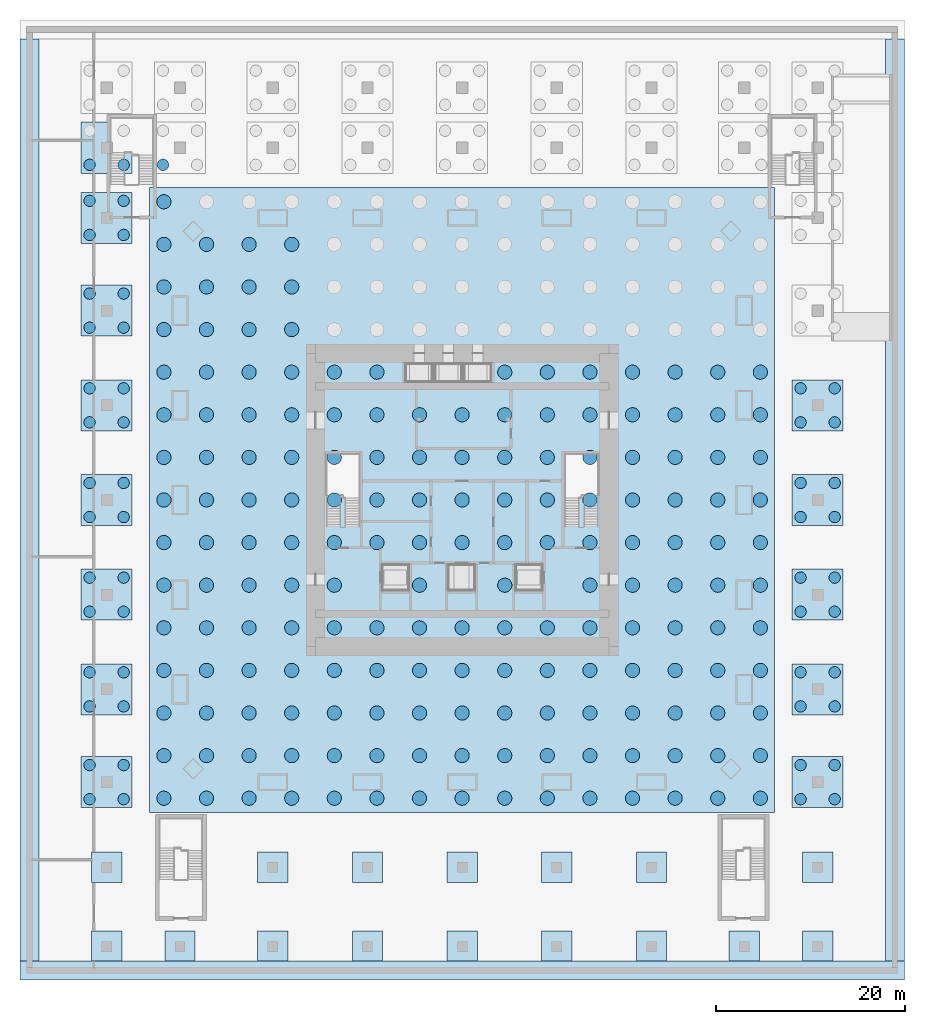
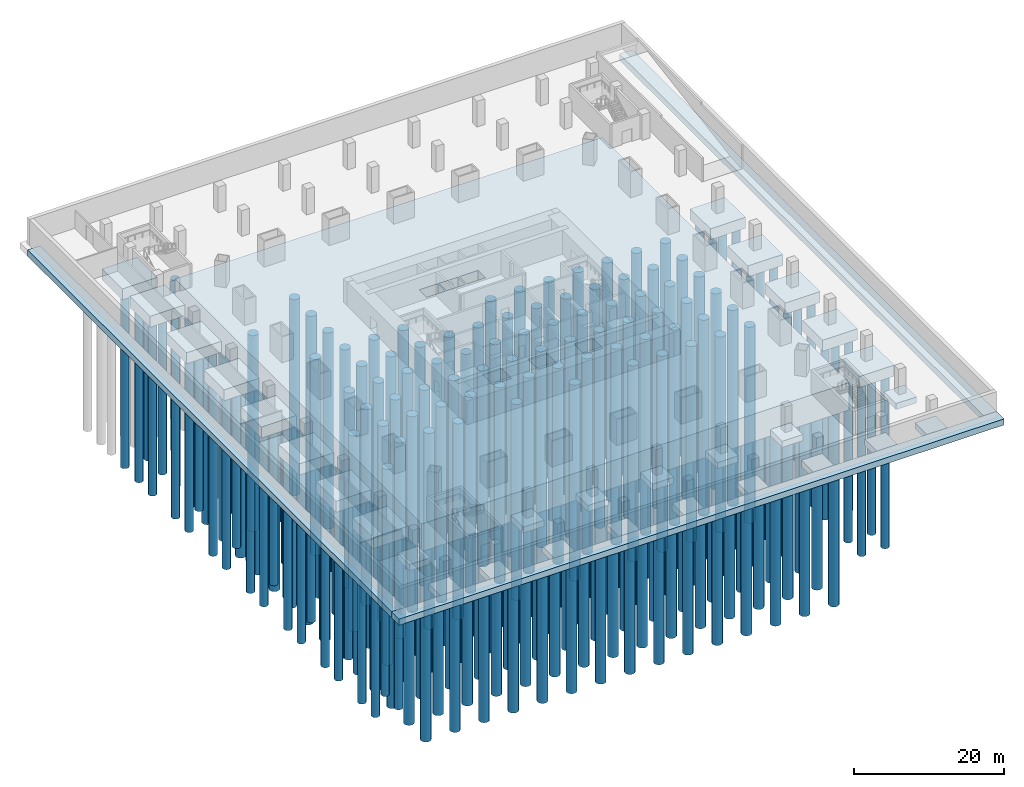
# One storey, part 1 of 11: 224 piles, 33 footings.
"""IFC4 building model written with IfcOpenShell, lengths in metres."""

import ifcopenshell
import ifcopenshell.guid

model = None  # the IFC model being written
_history = None  # IfcOwnerHistory: only IFC2X3 demands one
_inside = {}  # id of a spatial element -> (the spatial element, [elements in it])
_under = {}  # id of a project, library or spatial element -> (it, [spatial elements below it])
_declared = {}  # id of a project -> (the project, [libraries it declares])
_typed = {}  # id of a type object -> (the type object, [elements of that type])
_made_of = {}  # id of a material, layer set ... -> (it, [elements and type objects made of it])


def new_model(schema):
    """Start an empty IFC model of exactly this schema.

    Asked for "IFC4X3", IfcOpenShell would pick the latest addendum, in which some entities
    have other attributes; the version numbers below select the first issue.
    IFC2X3 requires an IfcOwnerHistory on every rooted entity: one is made here for all.
    """
    global model, _history
    if schema == "IFC4X3":
        model = ifcopenshell.file(schema_version=(4, 3, 0, 0))
    else:
        model = ifcopenshell.file(schema=schema)
    _inside.clear()
    _under.clear()
    _declared.clear()
    _typed.clear()
    _made_of.clear()
    _history = None
    if model.schema == "IFC2X3":
        org = make("IfcOrganization", Name="unknown")
        user = make(
            "IfcPersonAndOrganization",
            ThePerson=make("IfcPerson", FamilyName="unknown"),
            TheOrganization=org,
        )
        app = make(
            "IfcApplication",
            ApplicationDeveloper=org,
            Version="unknown",
            ApplicationFullName="unknown",
            ApplicationIdentifier="unknown",
        )
        _history = make(
            "IfcOwnerHistory",
            OwningUser=user,
            OwningApplication=app,
            ChangeAction="ADDED",
            CreationDate=0,
        )
    return model


def make(cls, **values):
    """One entity of the class cls with the attributes given. An attribute that is None is left unset."""
    return model.create_entity(
        cls, **{name: value for name, value in values.items() if value is not None}
    )


def rooted(cls, **values):
    """An entity with a GlobalId (a new one), such as an element, a storey or a relation."""
    return make(cls, GlobalId=ifcopenshell.guid.new(), OwnerHistory=_history, **values)


def si_unit(unit_type, name, prefix=None):
    """IfcSIUnit, for example si_unit("LENGTHUNIT", "METRE", prefix="MILLI")."""
    return make("IfcSIUnit", UnitType=unit_type, Prefix=prefix, Name=name)


def assignment(units):
    """IfcUnitAssignment: the units of a project."""
    return None if units is None else make("IfcUnitAssignment", Units=units)


def point(xyz):
    """IfcCartesianPoint."""
    return None if xyz is None else make("IfcCartesianPoint", Coordinates=xyz)


def direction(xyz):
    """IfcDirection."""
    return None if xyz is None else make("IfcDirection", DirectionRatios=xyz)


def frame(location, z_axis=None, x_axis=None):
    """IfcAxis2Placement3D, a coordinate frame: its origin and axes. An axis left out is left unset."""
    return make(
        "IfcAxis2Placement3D",
        Location=point(location),
        Axis=direction(z_axis),
        RefDirection=direction(x_axis),
    )


def frame_2d(location, x_axis=None):
    """IfcAxis2Placement2D, a coordinate frame in the plane: its origin and x axis."""
    return make(
        "IfcAxis2Placement2D", Location=point(location), RefDirection=direction(x_axis)
    )


def origin():
    """The frame at (0, 0, 0) with its axes left unset."""
    return frame((0.0, 0.0, 0.0))


def origin_2d():
    """The frame at (0, 0) in the plane with its x axis left unset."""
    return frame_2d((0.0, 0.0))


def place(relative_to, where):
    """IfcLocalPlacement: puts the frame where relative to a parent placement (None: the world)."""
    return make(
        "IfcLocalPlacement", PlacementRelTo=relative_to, RelativePlacement=where
    )


def context(
    kind, dimensions, precision=None, world=None, true_north=None, identifier=None
):
    """IfcGeometricRepresentationContext, for example the 3D "Model" context."""
    return make(
        "IfcGeometricRepresentationContext",
        ContextIdentifier=identifier,
        ContextType=kind,
        CoordinateSpaceDimension=dimensions,
        Precision=precision,
        WorldCoordinateSystem=world,
        TrueNorth=true_north,
    )


def subcontext(parent, identifier, kind, view, scale=None):
    """IfcGeometricRepresentationSubContext, for example "Body" below "Model"."""
    return make(
        "IfcGeometricRepresentationSubContext",
        ContextIdentifier=identifier,
        ContextType=kind,
        ParentContext=parent,
        TargetScale=scale,
        TargetView=view,
    )


def project(units=None, contexts=None):
    """IfcProject with its units and contexts."""
    return rooted(
        "IfcProject",
        Name="project",
        RepresentationContexts=contexts,
        UnitsInContext=assignment(units),
    )


def spatial(cls, under=None, at=None, **own):
    """A site, building, storey or space (cls), placed at a placement, below another one or the project."""
    s = rooted(cls, ObjectPlacement=at, **own)
    if under is not None:
        _under.setdefault(under.id(), (under, []))[1].append(s)
    return s


def polyline(points):
    """IfcPolyline through the points."""
    return make("IfcPolyline", Points=[point(p) for p in points])


def profile(cls, at=None, kind="AREA", **sizes):
    """A parametric profile (cls). Its sizes go by their IFC names, for example OverallWidth=200.0."""
    return make(cls, ProfileType=kind, Position=at, **sizes)


def rectangle(**sizes):
    """IfcRectangleProfileDef."""
    return profile("IfcRectangleProfileDef", **sizes)


def circle(**sizes):
    """IfcCircleProfileDef."""
    return profile("IfcCircleProfileDef", **sizes)


def outline(outer, holes=None, kind="AREA"):
    """IfcArbitraryClosedProfileDef: a profile drawn as a closed curve; with holes, ...WithVoids."""
    if holes is None:
        return make("IfcArbitraryClosedProfileDef", ProfileType=kind, OuterCurve=outer)
    return make(
        "IfcArbitraryProfileDefWithVoids",
        ProfileType=kind,
        OuterCurve=outer,
        InnerCurves=holes,
    )


def extrude(swept, where, along, depth):
    """IfcExtrudedAreaSolid: the profile swept, set in the frame where, extruded along a direction by depth."""
    return make(
        "IfcExtrudedAreaSolid",
        SweptArea=swept,
        Position=where,
        ExtrudedDirection=direction(along),
        Depth=depth,
    )


def shape(context_of_items, identifier, shape_type, items):
    """IfcShapeRepresentation: the items that make up one representation, for example the "Body"."""
    return make(
        "IfcShapeRepresentation",
        ContextOfItems=context_of_items,
        RepresentationIdentifier=identifier,
        RepresentationType=shape_type,
        Items=items,
    )


def material(Name=None, Category=None):
    """IfcMaterial."""
    return make("IfcMaterial", Name=Name, Category=Category)


def layer(
    of_material, thickness, ventilated=None, Name=None, Category=None, Priority=None
):
    """IfcMaterialLayer: one layer of a wall or slab, of a material (None: an air gap)."""
    return make(
        "IfcMaterialLayer",
        Material=of_material,
        LayerThickness=thickness,
        IsVentilated=ventilated,
        Name=Name,
        Category=Category,
        Priority=Priority,
    )


def layer_set(layers, Name=None):
    """IfcMaterialLayerSet."""
    return make("IfcMaterialLayerSet", MaterialLayers=layers, LayerSetName=Name)


def material_profile(
    of_material, cross_section, Name=None, Category=None, Priority=None
):
    """IfcMaterialProfile: a cross section and its material."""
    return make(
        "IfcMaterialProfile",
        Name=Name,
        Material=of_material,
        Profile=cross_section,
        Priority=Priority,
        Category=Category,
    )


def profile_set(profiles, Name=None, composite=None):
    """IfcMaterialProfileSet."""
    return make(
        "IfcMaterialProfileSet",
        Name=Name,
        MaterialProfiles=profiles,
        CompositeProfile=composite,
    )


def made_of(thing, what):
    """Note that an element or type object is made of a material, layer set ...; save() writes the relation."""
    if what is not None:
        _made_of.setdefault(what.id(), (what, []))[1].append(thing)
    return thing


def type_object(cls, material=None, **own):
    """A type object (cls), such as IfcWallType, which elements share."""
    return made_of(rooted(cls, **own), material)


def element(
    cls,
    number,
    at=None,
    inside=None,
    cuts=None,
    type_object=None,
    material=None,
    context=None,
    identifier="Body",
    shape_type=None,
    held_by="IfcProductDefinitionShape",
    body=None,
    shapes=None,
    **own,
):
    """One element of the class cls, such as IfcWall. Its Tag is "e" and its number.

    at: its placement. inside: the storey or other place that contains it. cuts: it is an
    opening in that element (IfcRelVoidsElement). A single representation is given by context,
    identifier, shape_type and body (its items); several are given by shapes. held_by: the class
    of the entity that holds the representations. save() writes the other relations.
    """
    e = rooted(cls, Tag="e%d" % number, ObjectPlacement=at, **own)
    if body is not None:
        shapes = [shape(context, identifier, shape_type, body)]
    if shapes is not None:
        e.Representation = make(held_by, Representations=shapes)
    if inside is not None:
        _inside.setdefault(inside.id(), (inside, []))[1].append(e)
    if cuts is not None:
        rooted(
            "IfcRelVoidsElement", RelatingBuildingElement=cuts, RelatedOpeningElement=e
        )
    if type_object is not None:
        _typed.setdefault(type_object.id(), (type_object, []))[1].append(e)
    return made_of(e, material)


def aggregate(whole, parts):
    """IfcRelAggregates: a whole, such as a stair, and the parts it consists of."""
    return rooted("IfcRelAggregates", RelatingObject=whole, RelatedObjects=parts)


def save(model, path):
    """Write the relations noted so far, then the file.

    IfcRelAggregates (storeys below a building ...), IfcRelContainedInSpatialStructure (elements
    in a storey), IfcRelDefinesByType, IfcRelAssociatesMaterial and IfcRelDeclares: one each for
    every whole, place, type object, material and project.
    """
    for whole, parts in _under.values():
        aggregate(whole, parts)
    for where, things in _inside.values():
        rooted(
            "IfcRelContainedInSpatialStructure",
            RelatedElements=things,
            RelatingStructure=where,
        )
    for kind, things in _typed.values():
        rooted("IfcRelDefinesByType", RelatedObjects=things, RelatingType=kind)
    for what, things in _made_of.values():
        rooted("IfcRelAssociatesMaterial", RelatedObjects=things, RelatingMaterial=what)
    for by, libraries in _declared.values():
        rooted("IfcRelDeclares", RelatingContext=by, RelatedDefinitions=libraries)
    model.write(path)


model = new_model("IFC4")

# Units and contexts
model_context = context("Model", 3, precision=1e-05, world=origin(), true_north=direction((0.0, 1.0)))
body_context = subcontext(model_context, "Body", "Model", "MODEL_VIEW")
ifc_project = project(units=[si_unit("LENGTHUNIT", "METRE"), si_unit("AREAUNIT", "SQUARE_METRE"), si_unit("VOLUMEUNIT", "CUBIC_METRE"), si_unit("PLANEANGLEUNIT", "RADIAN"), si_unit("MASSUNIT", "GRAM", prefix="KILO")], contexts=[model_context])

# Site, building, storey
site_placement = place(None, origin())
site = spatial("IfcSite", under=ifc_project, at=site_placement, CompositionType="ELEMENT")
building_placement = place(site_placement, origin())
building = spatial("IfcBuilding", under=site, at=building_placement, Name="Khuree Lantern Residences", CompositionType="ELEMENT")
storey_placement = place(building_placement, frame((0.0, 0.0, -13.199951171875)))
storey = spatial("IfcBuildingStorey", under=building, at=storey_placement, Name="B3", CompositionType="ELEMENT", Elevation=-13.199951171875)

# Piles
ifc_material_1 = material(Name="Concrete C35/45", Category="concrete")
ifc_material_profile_1 = material_profile(ifc_material_1, circle(Radius=0.75, at=origin_2d()), Name="BORED PILE D1500")
ifc_profile_set_1 = profile_set([ifc_material_profile_1], Name="Concrete C35/45")
pile_type_1 = type_object("IfcPileType", Name="BP1 RAFT PILE BORED PILE D1500", PredefinedType="BORED", material=ifc_profile_set_1)
for number, where, z_axis, x_axis, name in (
    (1, (-31.5, -31.5, -4.900146484375), (0.0, 0.0, -1.0), (1.0, 0.0, 0.0), "Raft pile 1"),
    (2, (-27.0, -31.5, -4.900146484375), (0.0, 0.0, -1.0), (1.0, 0.0, 0.0), "Raft pile 2"),
    (3, (-22.5, -31.5, -4.900146484375), (0.0, 0.0, -1.0), (1.0, 0.0, 0.0), "Raft pile 3"),
    (4, (-18.0, -31.5, -4.900146484375), (0.0, 0.0, -1.0), (1.0, 0.0, 0.0), "Raft pile 4"),
    (5, (-13.5, -31.5, -4.900146484375), (0.0, 0.0, -1.0), (1.0, 0.0, 0.0), "Raft pile 5"),
    (6, (-9.0, -31.5, -4.900146484375), (0.0, 0.0, -1.0), (1.0, 0.0, 0.0), "Raft pile 6"),
    (7, (-4.5, -31.5, -4.900146484375), (0.0, 0.0, -1.0), (1.0, 0.0, 0.0), "Raft pile 7"),
    (8, (0.0, -31.5, -4.900146484375), (0.0, 0.0, -1.0), (1.0, 0.0, 0.0), "Raft pile 8"),
    (9, (4.5, -31.5, -4.900146484375), (0.0, 0.0, -1.0), (1.0, 0.0, 0.0), "Raft pile 9"),
    (10, (9.0, -31.5, -4.900146484375), (0.0, 0.0, -1.0), (1.0, 0.0, 0.0), "Raft pile 10"),
    (11, (13.5, -31.5, -4.900146484375), (0.0, 0.0, -1.0), (1.0, 0.0, 0.0), "Raft pile 11"),
    (12, (18.0, -31.5, -4.900146484375), (0.0, 0.0, -1.0), (1.0, 0.0, 0.0), "Raft pile 12"),
    (13, (22.5, -31.5, -4.900146484375), (0.0, 0.0, -1.0), (1.0, 0.0, 0.0), "Raft pile 13"),
    (14, (27.0, -31.5, -4.900146484375), (0.0, 0.0, -1.0), (1.0, 0.0, 0.0), "Raft pile 14"),
    (15, (31.5, -31.5, -4.900146484375), (0.0, 0.0, -1.0), (1.0, 0.0, 0.0), "Raft pile 15"),
    (16, (-31.5, -27.0, -4.900146484375), (0.0, 0.0, -1.0), (1.0, 0.0, 0.0), "Raft pile 16"),
    (17, (-27.0, -27.0, -4.900146484375), (0.0, 0.0, -1.0), (1.0, 0.0, 0.0), "Raft pile 17"),
    (18, (-22.5, -27.0, -4.900146484375), (0.0, 0.0, -1.0), (1.0, 0.0, 0.0), "Raft pile 18"),
    (19, (-18.0, -27.0, -4.900146484375), (0.0, 0.0, -1.0), (1.0, 0.0, 0.0), "Raft pile 19"),
    (20, (-13.5, -27.0, -4.900146484375), (0.0, 0.0, -1.0), (1.0, 0.0, 0.0), "Raft pile 20"),
    (21, (-9.0, -27.0, -4.900146484375), (0.0, 0.0, -1.0), (1.0, 0.0, 0.0), "Raft pile 21"),
    (22, (-4.5, -27.0, -4.900146484375), (0.0, 0.0, -1.0), (1.0, 0.0, 0.0), "Raft pile 22"),
    (23, (0.0, -27.0, -4.900146484375), (0.0, 0.0, -1.0), (1.0, 0.0, 0.0), "Raft pile 23"),
    (24, (4.5, -27.0, -4.900146484375), (0.0, 0.0, -1.0), (1.0, 0.0, 0.0), "Raft pile 24"),
    (25, (9.0, -27.0, -4.900146484375), (0.0, 0.0, -1.0), (1.0, 0.0, 0.0), "Raft pile 25"),
    (26, (13.5, -27.0, -4.900146484375), (0.0, 0.0, -1.0), (1.0, 0.0, 0.0), "Raft pile 26"),
    (27, (18.0, -27.0, -4.900146484375), (0.0, 0.0, -1.0), (1.0, 0.0, 0.0), "Raft pile 27"),
    (28, (22.5, -27.0, -4.900146484375), (0.0, 0.0, -1.0), (1.0, 0.0, 0.0), "Raft pile 28"),
    (29, (27.0, -27.0, -4.900146484375), (0.0, 0.0, -1.0), (1.0, 0.0, 0.0), "Raft pile 29"),
    (30, (31.5, -27.0, -4.900146484375), (0.0, 0.0, -1.0), (1.0, 0.0, 0.0), "Raft pile 30"),
    (31, (-31.5, -22.5, -4.900146484375), (0.0, 0.0, -1.0), (1.0, 0.0, 0.0), "Raft pile 31"),
    (32, (-27.0, -22.5, -4.900146484375), (0.0, 0.0, -1.0), (1.0, 0.0, 0.0), "Raft pile 32"),
    (33, (-22.5, -22.5, -4.900146484375), (0.0, 0.0, -1.0), (1.0, 0.0, 0.0), "Raft pile 33"),
    (34, (-18.0, -22.5, -4.900146484375), (0.0, 0.0, -1.0), (1.0, 0.0, 0.0), "Raft pile 34"),
    (35, (-13.5, -22.5, -4.900146484375), (0.0, 0.0, -1.0), (1.0, 0.0, 0.0), "Raft pile 35"),
    (36, (-9.0, -22.5, -4.900146484375), (0.0, 0.0, -1.0), (1.0, 0.0, 0.0), "Raft pile 36"),
    (37, (-4.5, -22.5, -4.900146484375), (0.0, 0.0, -1.0), (1.0, 0.0, 0.0), "Raft pile 37"),
    (38, (0.0, -22.5, -4.900146484375), (0.0, 0.0, -1.0), (1.0, 0.0, 0.0), "Raft pile 38"),
    (39, (4.5, -22.5, -4.900146484375), (0.0, 0.0, -1.0), (1.0, 0.0, 0.0), "Raft pile 39"),
    (40, (9.0, -22.5, -4.900146484375), (0.0, 0.0, -1.0), (1.0, 0.0, 0.0), "Raft pile 40"),
    (41, (13.5, -22.5, -4.900146484375), (0.0, 0.0, -1.0), (1.0, 0.0, 0.0), "Raft pile 41"),
    (42, (18.0, -22.5, -4.900146484375), (0.0, 0.0, -1.0), (1.0, 0.0, 0.0), "Raft pile 42"),
    (43, (22.5, -22.5, -4.900146484375), (0.0, 0.0, -1.0), (1.0, 0.0, 0.0), "Raft pile 43"),
    (44, (27.0, -22.5, -4.900146484375), (0.0, 0.0, -1.0), (1.0, 0.0, 0.0), "Raft pile 44"),
    (45, (31.5, -22.5, -4.900146484375), (0.0, 0.0, -1.0), (1.0, 0.0, 0.0), "Raft pile 45"),
    (46, (-31.5, -18.0, -4.900146484375), (0.0, 0.0, -1.0), (1.0, 0.0, 0.0), "Raft pile 46"),
    (47, (-27.0, -18.0, -4.900146484375), (0.0, 0.0, -1.0), (1.0, 0.0, 0.0), "Raft pile 47"),
    (48, (-22.5, -18.0, -4.900146484375), (0.0, 0.0, -1.0), (1.0, 0.0, 0.0), "Raft pile 48"),
    (49, (-18.0, -18.0, -4.900146484375), (0.0, 0.0, -1.0), (1.0, 0.0, 0.0), "Raft pile 49"),
    (50, (-13.5, -18.0, -4.900146484375), (0.0, 0.0, -1.0), (1.0, 0.0, 0.0), "Raft pile 50"),
    (51, (-9.0, -18.0, -4.900146484375), (0.0, 0.0, -1.0), (1.0, 0.0, 0.0), "Raft pile 51"),
    (52, (-4.5, -18.0, -4.900146484375), (0.0, 0.0, -1.0), (1.0, 0.0, 0.0), "Raft pile 52"),
    (53, (0.0, -18.0, -4.900146484375), (0.0, 0.0, -1.0), (1.0, 0.0, 0.0), "Raft pile 53"),
    (54, (4.5, -18.0, -4.900146484375), (0.0, 0.0, -1.0), (1.0, 0.0, 0.0), "Raft pile 54"),
    (55, (9.0, -18.0, -4.900146484375), (0.0, 0.0, -1.0), (1.0, 0.0, 0.0), "Raft pile 55"),
    (56, (13.5, -18.0, -4.900146484375), (0.0, 0.0, -1.0), (1.0, 0.0, 0.0), "Raft pile 56"),
    (57, (18.0, -18.0, -4.900146484375), (0.0, 0.0, -1.0), (1.0, 0.0, 0.0), "Raft pile 57"),
    (58, (22.5, -18.0, -4.900146484375), (0.0, 0.0, -1.0), (1.0, 0.0, 0.0), "Raft pile 58"),
    (59, (27.0, -18.0, -4.900146484375), (0.0, 0.0, -1.0), (1.0, 0.0, 0.0), "Raft pile 59"),
    (60, (31.5, -18.0, -4.900146484375), (0.0, 0.0, -1.0), (1.0, 0.0, 0.0), "Raft pile 60"),
    (61, (-31.5, -13.5, -4.900146484375), (0.0, 0.0, -1.0), (1.0, 0.0, 0.0), "Raft pile 61"),
    (62, (-27.0, -13.5, -4.900146484375), (0.0, 0.0, -1.0), (1.0, 0.0, 0.0), "Raft pile 62"),
    (63, (-22.5, -13.5, -4.900146484375), (0.0, 0.0, -1.0), (1.0, 0.0, 0.0), "Raft pile 63"),
    (64, (-18.0, -13.5, -4.900146484375), (0.0, 0.0, -1.0), (1.0, 0.0, 0.0), "Raft pile 64"),
    (65, (-13.5, -13.5, -4.900146484375), (0.0, 0.0, -1.0), (1.0, 0.0, 0.0), "Raft pile 65"),
    (66, (-9.0, -13.5, -4.900146484375), (0.0, 0.0, -1.0), (1.0, 0.0, 0.0), "Raft pile 66"),
    (67, (-4.5, -13.5, -4.900146484375), (0.0, 0.0, -1.0), (1.0, 0.0, 0.0), "Raft pile 67"),
    (68, (0.0, -13.5, -4.900146484375), (0.0, 0.0, -1.0), (1.0, 0.0, 0.0), "Raft pile 68"),
    (69, (4.5, -13.5, -4.900146484375), (0.0, 0.0, -1.0), (1.0, 0.0, 0.0), "Raft pile 69"),
    (70, (9.0, -13.5, -4.900146484375), (0.0, 0.0, -1.0), (1.0, 0.0, 0.0), "Raft pile 70"),
    (71, (13.5, -13.5, -4.900146484375), (0.0, 0.0, -1.0), (1.0, 0.0, 0.0), "Raft pile 71"),
    (72, (18.0, -13.5, -4.900146484375), (0.0, 0.0, -1.0), (1.0, 0.0, 0.0), "Raft pile 72"),
    (73, (22.5, -13.5, -4.900146484375), (0.0, 0.0, -1.0), (1.0, 0.0, 0.0), "Raft pile 73"),
    (74, (27.0, -13.5, -4.900146484375), (0.0, 0.0, -1.0), (1.0, 0.0, 0.0), "Raft pile 74"),
    (75, (31.5, -13.5, -4.900146484375), (0.0, 0.0, -1.0), (1.0, 0.0, 0.0), "Raft pile 75"),
    (76, (-31.5, -9.0, -4.900146484375), (0.0, 0.0, -1.0), (1.0, 0.0, 0.0), "Raft pile 76"),
    (77, (-27.0, -9.0, -4.900146484375), (0.0, 0.0, -1.0), (1.0, 0.0, 0.0), "Raft pile 77"),
    (78, (-22.5, -9.0, -4.900146484375), (0.0, 0.0, -1.0), (1.0, 0.0, 0.0), "Raft pile 78"),
    (79, (-18.0, -9.0, -4.900146484375), (0.0, 0.0, -1.0), (1.0, 0.0, 0.0), "Raft pile 79"),
    (80, (-13.5, -9.0, -4.900146484375), (0.0, 0.0, -1.0), (1.0, 0.0, 0.0), "Raft pile 80"),
    (81, (-4.5, -9.0, -4.900146484375), (0.0, 0.0, -1.0), (1.0, 0.0, 0.0), "Raft pile 81"),
    (82, (4.5, -9.0, -4.900146484375), (0.0, 0.0, -1.0), (1.0, 0.0, 0.0), "Raft pile 82"),
    (83, (13.5, -9.0, -4.900146484375), (0.0, 0.0, -1.0), (1.0, 0.0, 0.0), "Raft pile 83"),
    (84, (18.0, -9.0, -4.900146484375), (0.0, 0.0, -1.0), (1.0, 0.0, 0.0), "Raft pile 84"),
    (85, (22.5, -9.0, -4.900146484375), (0.0, 0.0, -1.0), (1.0, 0.0, 0.0), "Raft pile 85"),
    (86, (27.0, -9.0, -4.900146484375), (0.0, 0.0, -1.0), (1.0, 0.0, 0.0), "Raft pile 86"),
    (87, (31.5, -9.0, -4.900146484375), (0.0, 0.0, -1.0), (1.0, 0.0, 0.0), "Raft pile 87"),
    (88, (-31.5, -4.5, -4.900146484375), (0.0, 0.0, -1.0), (1.0, 0.0, 0.0), "Raft pile 88"),
    (89, (-27.0, -4.5, -4.900146484375), (0.0, 0.0, -1.0), (1.0, 0.0, 0.0), "Raft pile 89"),
    (90, (-22.5, -4.5, -4.900146484375), (0.0, 0.0, -1.0), (1.0, 0.0, 0.0), "Raft pile 90"),
    (91, (-18.0, -4.5, -4.900146484375), (0.0, 0.0, -1.0), (1.0, 0.0, 0.0), "Raft pile 91"),
    (92, (-13.5, -4.5, -4.900146484375), (0.0, 0.0, -1.0), (1.0, 0.0, 0.0), "Raft pile 92"),
    (93, (-9.0, -4.5, -4.900146484375), (0.0, 0.0, -1.0), (1.0, 0.0, 0.0), "Raft pile 93"),
    (94, (-4.5, -4.5, -4.900146484375), (0.0, 0.0, -1.0), (1.0, 0.0, 0.0), "Raft pile 94"),
    (95, (0.0, -4.5, -4.900146484375), (0.0, 0.0, -1.0), (1.0, 0.0, 0.0), "Raft pile 95"),
    (96, (4.5, -4.5, -4.900146484375), (0.0, 0.0, -1.0), (1.0, 0.0, 0.0), "Raft pile 96"),
    (97, (9.0, -4.5, -4.900146484375), (0.0, 0.0, -1.0), (1.0, 0.0, 0.0), "Raft pile 97"),
    (98, (13.5, -4.5, -4.900146484375), (0.0, 0.0, -1.0), (1.0, 0.0, 0.0), "Raft pile 98"),
    (99, (18.0, -4.5, -4.900146484375), (0.0, 0.0, -1.0), (1.0, 0.0, 0.0), "Raft pile 99"),
    (100, (22.5, -4.5, -4.900146484375), (0.0, 0.0, -1.0), (1.0, 0.0, 0.0), "Raft pile 100"),
    (101, (27.0, -4.5, -4.900146484375), (0.0, 0.0, -1.0), (1.0, 0.0, 0.0), "Raft pile 101"),
    (102, (31.5, -4.5, -4.900146484375), (0.0, 0.0, -1.0), (1.0, 0.0, 0.0), "Raft pile 102"),
    (103, (-31.5, 0.0, -4.900146484375), (0.0, 0.0, -1.0), (1.0, 0.0, 0.0), "Raft pile 103"),
    (104, (-27.0, 0.0, -4.900146484375), (0.0, 0.0, -1.0), (1.0, 0.0, 0.0), "Raft pile 104"),
    (105, (-22.5, 0.0, -4.900146484375), (0.0, 0.0, -1.0), (1.0, 0.0, 0.0), "Raft pile 105"),
    (106, (-18.0, 0.0, -4.900146484375), (0.0, 0.0, -1.0), (1.0, 0.0, 0.0), "Raft pile 106"),
    (107, (-13.5, 0.0, -4.900146484375), (0.0, 0.0, -1.0), (1.0, 0.0, 0.0), "Raft pile 107"),
    (108, (-9.0, 0.0, -4.900146484375), (0.0, 0.0, -1.0), (1.0, 0.0, 0.0), "Raft pile 108"),
    (109, (-4.5, 0.0, -4.900146484375), (0.0, 0.0, -1.0), (1.0, 0.0, 0.0), "Raft pile 109"),
    (110, (0.0, 0.0, -4.900146484375), (0.0, 0.0, -1.0), (1.0, 0.0, 0.0), "Raft pile 110"),
    (111, (4.5, 0.0, -4.900146484375), (0.0, 0.0, -1.0), (1.0, 0.0, 0.0), "Raft pile 111"),
    (112, (9.0, 0.0, -4.900146484375), (0.0, 0.0, -1.0), (1.0, 0.0, 0.0), "Raft pile 112"),
    (113, (13.5, 0.0, -4.900146484375), (0.0, 0.0, -1.0), (1.0, 0.0, 0.0), "Raft pile 113"),
    (114, (18.0, 0.0, -4.900146484375), (0.0, 0.0, -1.0), (1.0, 0.0, 0.0), "Raft pile 114"),
    (115, (22.5, 0.0, -4.900146484375), (0.0, 0.0, -1.0), (1.0, 0.0, 0.0), "Raft pile 115"),
    (116, (27.0, 0.0, -4.900146484375), (0.0, 0.0, -1.0), (1.0, 0.0, 0.0), "Raft pile 116"),
    (117, (31.5, 0.0, -4.900146484375), (0.0, 0.0, -1.0), (1.0, 0.0, 0.0), "Raft pile 117"),
    (118, (-31.5, 4.5, -4.900146484375), (0.0, 0.0, -1.0), (1.0, 0.0, 0.0), "Raft pile 118"),
    (119, (-27.0, 4.5, -4.900146484375), (0.0, 0.0, -1.0), (1.0, 0.0, 0.0), "Raft pile 119"),
    (120, (-22.5, 4.5, -4.900146484375), (0.0, 0.0, -1.0), (1.0, 0.0, 0.0), "Raft pile 120"),
    (121, (-18.0, 4.5, -4.900146484375), (0.0, 0.0, -1.0), (1.0, 0.0, 0.0), "Raft pile 121"),
    (122, (-13.5, 4.5, -4.900146484375), (0.0, 0.0, -1.0), (1.0, 0.0, 0.0), "Raft pile 122"),
    (123, (-9.0, 4.5, -4.900146484375), (0.0, 0.0, -1.0), (1.0, 0.0, 0.0), "Raft pile 123"),
    (124, (-4.5, 4.5, -4.900146484375), (0.0, 0.0, -1.0), (1.0, 0.0, 0.0), "Raft pile 124"),
    (125, (0.0, 4.5, -4.900146484375), (0.0, 0.0, -1.0), (1.0, 0.0, 0.0), "Raft pile 125"),
    (126, (4.5, 4.5, -4.900146484375), (0.0, 0.0, -1.0), (1.0, 0.0, 0.0), "Raft pile 126"),
    (127, (9.0, 4.5, -4.900146484375), (0.0, 0.0, -1.0), (1.0, 0.0, 0.0), "Raft pile 127"),
    (128, (13.5, 4.5, -4.900146484375), (0.0, 0.0, -1.0), (1.0, 0.0, 0.0), "Raft pile 128"),
    (129, (18.0, 4.5, -4.900146484375), (0.0, 0.0, -1.0), (1.0, 0.0, 0.0), "Raft pile 129"),
    (130, (22.5, 4.5, -4.900146484375), (0.0, 0.0, -1.0), (1.0, 0.0, 0.0), "Raft pile 130"),
    (131, (27.0, 4.5, -4.900146484375), (0.0, 0.0, -1.0), (1.0, 0.0, 0.0), "Raft pile 131"),
    (132, (31.5, 4.5, -4.900146484375), (0.0, 0.0, -1.0), (1.0, 0.0, 0.0), "Raft pile 132"),
    (133, (-31.5, 9.0, -4.900146484375), (0.0, 0.0, -1.0), (1.0, 0.0, 0.0), "Raft pile 133"),
    (134, (-27.0, 9.0, -4.900146484375), (0.0, 0.0, -1.0), (1.0, 0.0, 0.0), "Raft pile 134"),
    (135, (-22.5, 9.0, -4.900146484375), (0.0, 0.0, -1.0), (1.0, 0.0, 0.0), "Raft pile 135"),
    (136, (-18.0, 9.0, -4.900146484375), (0.0, 0.0, -1.0), (1.0, 0.0, 0.0), "Raft pile 136"),
    (137, (-13.5, 9.0, -4.900146484375), (0.0, 0.0, -1.0), (1.0, 0.0, 0.0), "Raft pile 137"),
    (138, (-9.0, 9.0, -4.900146484375), (0.0, 0.0, -1.0), (1.0, 0.0, 0.0), "Raft pile 138"),
    (139, (-4.5, 9.0, -4.900146484375), (0.0, 0.0, -1.0), (1.0, 0.0, 0.0), "Raft pile 139"),
    (140, (0.0, 9.0, -4.900146484375), (0.0, 0.0, -1.0), (1.0, 0.0, 0.0), "Raft pile 140"),
    (141, (4.5, 9.0, -4.900146484375), (0.0, 0.0, -1.0), (1.0, 0.0, 0.0), "Raft pile 141"),
    (142, (9.0, 9.0, -4.900146484375), (0.0, 0.0, -1.0), (1.0, 0.0, 0.0), "Raft pile 142"),
    (143, (13.5, 9.0, -4.900146484375), (0.0, 0.0, -1.0), (1.0, 0.0, 0.0), "Raft pile 143"),
    (144, (18.0, 9.0, -4.900146484375), (0.0, 0.0, -1.0), (1.0, 0.0, 0.0), "Raft pile 144"),
    (145, (22.5, 9.0, -4.900146484375), (0.0, 0.0, -1.0), (1.0, 0.0, 0.0), "Raft pile 145"),
    (146, (27.0, 9.0, -4.900146484375), (0.0, 0.0, -1.0), (1.0, 0.0, 0.0), "Raft pile 146"),
    (147, (31.5, 9.0, -4.900146484375), (0.0, 0.0, -1.0), (1.0, 0.0, 0.0), "Raft pile 147"),
    (148, (-31.5, 13.5, -4.900146484375), (0.0, 0.0, -1.0), (1.0, 0.0, 0.0), "Raft pile 148"),
    (149, (-27.0, 13.5, -4.900146484375), (0.0, 0.0, -1.0), (1.0, 0.0, 0.0), "Raft pile 149"),
    (150, (-22.5, 13.5, -4.900146484375), (0.0, 0.0, -1.0), (1.0, 0.0, 0.0), "Raft pile 150"),
    (151, (-18.0, 13.5, -4.900146484375), (0.0, 0.0, -1.0), (1.0, 0.0, 0.0), "Raft pile 151"),
    (152, (-13.5, 13.5, -4.900146484375), (0.0, 0.0, -1.0), (1.0, 0.0, 0.0), "Raft pile 152"),
    (153, (-9.0, 13.5, -4.900146484375), (0.0, 0.0, -1.0), (1.0, 0.0, 0.0), "Raft pile 153"),
    (154, (4.5, 13.5, -4.900146484375), (0.0, 0.0, -1.0), (1.0, 0.0, 0.0), "Raft pile 154"),
    (155, (9.0, 13.5, -4.900146484375), (0.0, 0.0, -1.0), (1.0, 0.0, 0.0), "Raft pile 155"),
    (156, (13.5, 13.5, -4.900146484375), (0.0, 0.0, -1.0), (1.0, 0.0, 0.0), "Raft pile 156"),
    (157, (18.0, 13.5, -4.900146484375), (0.0, 0.0, -1.0), (1.0, 0.0, 0.0), "Raft pile 157"),
    (158, (22.5, 13.5, -4.900146484375), (0.0, 0.0, -1.0), (1.0, 0.0, 0.0), "Raft pile 158"),
    (159, (27.0, 13.5, -4.900146484375), (0.0, 0.0, -1.0), (1.0, 0.0, 0.0), "Raft pile 159"),
    (160, (31.5, 13.5, -4.900146484375), (0.0, 0.0, -1.0), (1.0, 0.0, 0.0), "Raft pile 160"),
    (161, (-31.5, 18.0, -4.900146484375), (0.0, 0.0, -1.0), (1.0, 0.0, 0.0), "Raft pile 161"),
    (162, (-27.0, 18.0, -4.900146484375), (0.0, 0.0, -1.0), (1.0, 0.0, 0.0), "Raft pile 162"),
    (163, (-22.5, 18.0, -4.900146484375), (0.0, 0.0, -1.0), (1.0, 0.0, 0.0), "Raft pile 163"),
    (164, (-18.0, 18.0, -4.900146484375), (0.0, 0.0, -1.0), (1.0, 0.0, 0.0), "Raft pile 164"),
    (165, (-31.5, 22.5, -4.900146484375), (0.0, 0.0, -1.0), (1.0, 0.0, 0.0), "Raft pile 176"),
    (166, (-27.0, 22.5, -4.900146484375), (0.0, 0.0, -1.0), (1.0, 0.0, 0.0), "Raft pile 177"),
    (167, (-22.5, 22.5, -4.900146484375), (0.0, 0.0, -1.0), (1.0, 0.0, 0.0), "Raft pile 178"),
    (168, (-18.0, 22.5, -4.900146484375), (0.0, 0.0, -1.0), (1.0, 0.0, 0.0), "Raft pile 179"),
    (169, (-31.5, 27.0, -4.900146484375), (0.0, 0.0, -1.0), (1.0, 0.0, 0.0), "Raft pile 191"),
    (170, (-27.0, 27.0, -4.900146484375), (0.0, 0.0, -1.0), (1.0, 0.0, 0.0), "Raft pile 192"),
    (171, (-22.5, 27.0, -4.900146484375), (0.0, 0.0, -1.0), (1.0, 0.0, 0.0), "Raft pile 193"),
    (172, (-18.0, 27.0, -4.900146484375), (0.0, 0.0, -1.0), (1.0, 0.0, 0.0), "Raft pile 194"),
    (173, (-31.5, 31.5, -4.900146484375), (0.0, 0.0, -1.0), (1.0, 0.0, 0.0), "Raft pile 206"),
):
    element("IfcPile", number, at=place(storey_placement, frame(where, z_axis=z_axis, x_axis=x_axis)), inside=storey, type_object=pile_type_1, Name=name, PredefinedType="BORED", context=body_context, shape_type="SweptSolid", body=[
        extrude(circle(Radius=0.75, at=origin_2d()), origin(), (0.0, 0.0, 1.0), 32.0),
    ])
ifc_material_profile_2 = material_profile(ifc_material_1, circle(Radius=0.60009765625, at=origin_2d()), Name="BORED PILE D1200")
ifc_profile_set_2 = profile_set([ifc_material_profile_2], Name="Concrete C35/45")
pile_type_2 = type_object("IfcPileType", Name="BP2 CAP PILE BORED PILE D1200", PredefinedType="BORED", material=ifc_profile_set_2)
for number, where, z_axis, x_axis, name in (
    (174, (-39.35009765625, -31.60009765625, -2.199951171875), (0.0, 0.0, -1.0), (1.0, 0.0, 0.0), "Cap pile PCP-17 1"),
    (175, (-35.75, -31.60009765625, -2.199951171875), (0.0, 0.0, -1.0), (1.0, 0.0, 0.0), "Cap pile PCP-17 2"),
    (176, (-35.75, -28.0, -2.199951171875), (0.0, 0.0, -1.0), (1.0, 0.0, 0.0), "Cap pile PCP-17 3"),
    (177, (-39.35009765625, -28.0, -2.199951171875), (0.0, 0.0, -1.0), (1.0, 0.0, 0.0), "Cap pile PCP-17 4"),
    (178, (35.75, -31.60009765625, -2.199951171875), (0.0, 0.0, -1.0), (1.0, 0.0, 0.0), "Cap pile PCP-18 1"),
    (179, (39.35009765625, -31.60009765625, -2.199951171875), (0.0, 0.0, -1.0), (1.0, 0.0, 0.0), "Cap pile PCP-18 2"),
    (180, (39.35009765625, -28.0, -2.199951171875), (0.0, 0.0, -1.0), (1.0, 0.0, 0.0), "Cap pile PCP-18 3"),
    (181, (35.75, -28.0, -2.199951171875), (0.0, 0.0, -1.0), (1.0, 0.0, 0.0), "Cap pile PCP-18 4"),
    (182, (-39.35009765625, -21.800048828125, -2.199951171875), (0.0, 0.0, -1.0), (1.0, 0.0, 0.0), "Cap pile PCP-19 1"),
    (183, (-35.75, -21.800048828125, -2.199951171875), (0.0, 0.0, -1.0), (1.0, 0.0, 0.0), "Cap pile PCP-19 2"),
    (184, (-35.75, -18.199951171875, -2.199951171875), (0.0, 0.0, -1.0), (1.0, 0.0, 0.0), "Cap pile PCP-19 3"),
    (185, (-39.35009765625, -18.199951171875, -2.199951171875), (0.0, 0.0, -1.0), (1.0, 0.0, 0.0), "Cap pile PCP-19 4"),
    (186, (35.75, -21.800048828125, -2.199951171875), (0.0, 0.0, -1.0), (1.0, 0.0, 0.0), "Cap pile PCP-20 1"),
    (187, (39.35009765625, -21.800048828125, -2.199951171875), (0.0, 0.0, -1.0), (1.0, 0.0, 0.0), "Cap pile PCP-20 2"),
    (188, (39.35009765625, -18.199951171875, -2.199951171875), (0.0, 0.0, -1.0), (1.0, 0.0, 0.0), "Cap pile PCP-20 3"),
    (189, (35.75, -18.199951171875, -2.199951171875), (0.0, 0.0, -1.0), (1.0, 0.0, 0.0), "Cap pile PCP-20 4"),
    (190, (-39.35009765625, -11.800048828125, -2.199951171875), (0.0, 0.0, -1.0), (1.0, 0.0, 0.0), "Cap pile PCP-21 1"),
    (191, (-35.75, -11.800048828125, -2.199951171875), (0.0, 0.0, -1.0), (1.0, 0.0, 0.0), "Cap pile PCP-21 2"),
    (192, (-35.75, -8.199951171875, -2.199951171875), (0.0, 0.0, -1.0), (1.0, 0.0, 0.0), "Cap pile PCP-21 3"),
    (193, (-39.35009765625, -8.199951171875, -2.199951171875), (0.0, 0.0, -1.0), (1.0, 0.0, 0.0), "Cap pile PCP-21 4"),
    (194, (35.75, -11.800048828125, -2.199951171875), (0.0, 0.0, -1.0), (1.0, 0.0, 0.0), "Cap pile PCP-22 1"),
    (195, (39.35009765625, -11.800048828125, -2.199951171875), (0.0, 0.0, -1.0), (1.0, 0.0, 0.0), "Cap pile PCP-22 2"),
    (196, (39.35009765625, -8.199951171875, -2.199951171875), (0.0, 0.0, -1.0), (1.0, 0.0, 0.0), "Cap pile PCP-22 3"),
    (197, (35.75, -8.199951171875, -2.199951171875), (0.0, 0.0, -1.0), (1.0, 0.0, 0.0), "Cap pile PCP-22 4"),
    (198, (-39.35009765625, -1.800048828125, -2.199951171875), (0.0, 0.0, -1.0), (1.0, 0.0, 0.0), "Cap pile PCP-23 1"),
    (199, (-35.75, -1.800048828125, -2.199951171875), (0.0, 0.0, -1.0), (1.0, 0.0, 0.0), "Cap pile PCP-23 2"),
    (200, (-35.75, 1.800048828125, -2.199951171875), (0.0, 0.0, -1.0), (1.0, 0.0, 0.0), "Cap pile PCP-23 3"),
    (201, (-39.35009765625, 1.800048828125, -2.199951171875), (0.0, 0.0, -1.0), (1.0, 0.0, 0.0), "Cap pile PCP-23 4"),
    (202, (35.75, -1.800048828125, -2.199951171875), (0.0, 0.0, -1.0), (1.0, 0.0, 0.0), "Cap pile PCP-24 1"),
    (203, (39.35009765625, -1.800048828125, -2.199951171875), (0.0, 0.0, -1.0), (1.0, 0.0, 0.0), "Cap pile PCP-24 2"),
    (204, (39.35009765625, 1.800048828125, -2.199951171875), (0.0, 0.0, -1.0), (1.0, 0.0, 0.0), "Cap pile PCP-24 3"),
    (205, (35.75, 1.800048828125, -2.199951171875), (0.0, 0.0, -1.0), (1.0, 0.0, 0.0), "Cap pile PCP-24 4"),
    (206, (-39.35009765625, 8.199951171875, -2.199951171875), (0.0, 0.0, -1.0), (1.0, 0.0, 0.0), "Cap pile PCP-25 1"),
    (207, (-35.75, 8.199951171875, -2.199951171875), (0.0, 0.0, -1.0), (1.0, 0.0, 0.0), "Cap pile PCP-25 2"),
    (208, (-35.75, 11.800048828125, -2.199951171875), (0.0, 0.0, -1.0), (1.0, 0.0, 0.0), "Cap pile PCP-25 3"),
    (209, (-39.35009765625, 11.800048828125, -2.199951171875), (0.0, 0.0, -1.0), (1.0, 0.0, 0.0), "Cap pile PCP-25 4"),
    (210, (35.75, 8.199951171875, -2.199951171875), (0.0, 0.0, -1.0), (1.0, 0.0, 0.0), "Cap pile PCP-26 1"),
    (211, (39.35009765625, 8.199951171875, -2.199951171875), (0.0, 0.0, -1.0), (1.0, 0.0, 0.0), "Cap pile PCP-26 2"),
    (212, (39.35009765625, 11.800048828125, -2.199951171875), (0.0, 0.0, -1.0), (1.0, 0.0, 0.0), "Cap pile PCP-26 3"),
    (213, (35.75, 11.800048828125, -2.199951171875), (0.0, 0.0, -1.0), (1.0, 0.0, 0.0), "Cap pile PCP-26 4"),
    (214, (-39.35009765625, 18.199951171875, -2.199951171875), (0.0, 0.0, -1.0), (1.0, 0.0, 0.0), "Cap pile PCP-27 1"),
    (215, (-35.75, 18.199951171875, -2.199951171875), (0.0, 0.0, -1.0), (1.0, 0.0, 0.0), "Cap pile PCP-27 2"),
    (216, (-35.75, 21.800048828125, -2.199951171875), (0.0, 0.0, -1.0), (1.0, 0.0, 0.0), "Cap pile PCP-27 3"),
    (217, (-39.35009765625, 21.800048828125, -2.199951171875), (0.0, 0.0, -1.0), (1.0, 0.0, 0.0), "Cap pile PCP-27 4"),
    (218, (-39.35009765625, 28.0, -2.199951171875), (0.0, 0.0, -1.0), (1.0, 0.0, 0.0), "Cap pile PCP-29 1"),
    (219, (-35.75, 28.0, -2.199951171875), (0.0, 0.0, -1.0), (1.0, 0.0, 0.0), "Cap pile PCP-29 2"),
    (220, (-35.75, 31.60009765625, -2.199951171875), (0.0, 0.0, -1.0), (1.0, 0.0, 0.0), "Cap pile PCP-29 3"),
    (221, (-39.35009765625, 31.60009765625, -2.199951171875), (0.0, 0.0, -1.0), (1.0, 0.0, 0.0), "Cap pile PCP-29 4"),
    (222, (-39.35009765625, 35.39990234375, -2.199951171875), (0.0, 0.0, -1.0), (1.0, 0.0, 0.0), "Cap pile PCP-31 1"),
    (223, (-35.75, 35.39990234375, -2.199951171875), (0.0, 0.0, -1.0), (1.0, 0.0, 0.0), "Cap pile PCP-31 2"),
    (224, (-31.60009765625, 35.39990234375, -2.199951171875), (0.0, 0.0, -1.0), (1.0, 0.0, 0.0), "Cap pile PCP-32 1"),
):
    element("IfcPile", number, at=place(storey_placement, frame(where, z_axis=z_axis, x_axis=x_axis)), inside=storey, type_object=pile_type_2, Name=name, PredefinedType="BORED", context=body_context, shape_type="SweptSolid", body=[
        extrude(circle(Radius=0.60009765625, at=origin_2d()), origin(), (0.0, 0.0, 1.0), 28.0),
    ])

# Footings
ifc_material_2 = material(Name="Concrete C40/50", Category="concrete")
ifc_layer_1 = layer(ifc_material_2, 1.800048828125)
ifc_layer_set_1 = layer_set([ifc_layer_1], Name="CAP4 FOUR-PILE CAP")
footing_type_1 = type_object("IfcFootingType", Name="CAP4 FOUR-PILE CAP", PredefinedType="PILE_CAP", material=ifc_layer_set_1)
for number, where, z_axis, x_axis, name in (
    (225, (-37.550048828125, -29.800048828125, -2.2001953125), (0.0, 0.0, 1.0), (1.0, 0.0, 0.0), "Pile cap PCP-17"),
    (226, (37.550048828125, -29.800048828125, -2.2001953125), (0.0, 0.0, 1.0), (1.0, 0.0, 0.0), "Pile cap PCP-18"),
    (227, (-37.550048828125, -20.0, -2.2001953125), (0.0, 0.0, 1.0), (1.0, 0.0, 0.0), "Pile cap PCP-19"),
    (228, (37.550048828125, -20.0, -2.2001953125), (0.0, 0.0, 1.0), (1.0, 0.0, 0.0), "Pile cap PCP-20"),
    (229, (-37.550048828125, -10.0, -2.2001953125), (0.0, 0.0, 1.0), (1.0, 0.0, 0.0), "Pile cap PCP-21"),
    (230, (37.550048828125, -10.0, -2.2001953125), (0.0, 0.0, 1.0), (1.0, 0.0, 0.0), "Pile cap PCP-22"),
    (231, (-37.550048828125, 0.0, -2.2001953125), (0.0, 0.0, 1.0), (1.0, 0.0, 0.0), "Pile cap PCP-23"),
    (232, (37.550048828125, 0.0, -2.2001953125), (0.0, 0.0, 1.0), (1.0, 0.0, 0.0), "Pile cap PCP-24"),
    (233, (-37.550048828125, 10.0, -2.2001953125), (0.0, 0.0, 1.0), (1.0, 0.0, 0.0), "Pile cap PCP-25"),
    (234, (37.550048828125, 10.0, -2.2001953125), (0.0, 0.0, 1.0), (1.0, 0.0, 0.0), "Pile cap PCP-26"),
    (235, (-37.550048828125, 20.0, -2.2001953125), (0.0, 0.0, 1.0), (1.0, 0.0, 0.0), "Pile cap PCP-27"),
    (236, (-37.550048828125, 29.800048828125, -2.2001953125), (0.0, 0.0, 1.0), (1.0, 0.0, 0.0), "Pile cap PCP-29"),
    (237, (-37.550048828125, 37.199951171875, -2.2001953125), (0.0, 0.0, 1.0), (1.0, 0.0, 0.0), "Pile cap PCP-31"),
):
    element("IfcFooting", number, at=place(storey_placement, frame(where, z_axis=z_axis, x_axis=x_axis)), inside=storey, type_object=footing_type_1, Name=name, PredefinedType="PILE_CAP", context=body_context, shape_type="SweptSolid", body=[
        extrude(rectangle(XDim=5.39990234375, YDim=5.39990234375, at=origin_2d()), origin(), (0.0, 0.0, 1.0), 1.800048828125),
    ])
ifc_layer_2 = layer(ifc_material_2, 1.0)
ifc_layer_set_2 = layer_set([ifc_layer_2], Name="PF1 PAD FOOTING")
footing_type_2 = type_object("IfcFootingType", Name="PF1 PAD FOOTING", PredefinedType="PAD_FOOTING", material=ifc_layer_set_2)
for number, where, z_axis, x_axis, name in (
    (238, (-37.550048828125, -47.09912109375, -1.400146484375), (0.0, 0.0, 1.0), (1.0, 0.0, 0.0), "Pad footing PF-1"),
    (239, (-29.800048828125, -47.09912109375, -1.400146484375), (0.0, 0.0, 1.0), (1.0, 0.0, 0.0), "Pad footing PF-2"),
    (240, (-20.0, -47.09912109375, -1.400146484375), (0.0, 0.0, 1.0), (1.0, 0.0, 0.0), "Pad footing PF-3"),
    (241, (-10.0, -47.09912109375, -1.400146484375), (0.0, 0.0, 1.0), (1.0, 0.0, 0.0), "Pad footing PF-4"),
    (242, (0.0, -47.09912109375, -1.400146484375), (0.0, 0.0, 1.0), (1.0, 0.0, 0.0), "Pad footing PF-5"),
    (243, (10.0, -47.09912109375, -1.400146484375), (0.0, 0.0, 1.0), (1.0, 0.0, 0.0), "Pad footing PF-6"),
    (244, (20.0, -47.09912109375, -1.400146484375), (0.0, 0.0, 1.0), (1.0, 0.0, 0.0), "Pad footing PF-7"),
    (245, (29.800048828125, -47.09912109375, -1.400146484375), (0.0, 0.0, 1.0), (1.0, 0.0, 0.0), "Pad footing PF-8"),
    (246, (37.550048828125, -47.09912109375, -1.400146484375), (0.0, 0.0, 1.0), (1.0, 0.0, 0.0), "Pad footing PF-9"),
    (247, (-37.550048828125, -38.800048828125, -1.400146484375), (0.0, 0.0, 1.0), (1.0, 0.0, 0.0), "Pad footing PF-10"),
    (248, (-20.0, -38.800048828125, -1.400146484375), (0.0, 0.0, 1.0), (1.0, 0.0, 0.0), "Pad footing PF-11"),
    (249, (-10.0, -38.800048828125, -1.400146484375), (0.0, 0.0, 1.0), (1.0, 0.0, 0.0), "Pad footing PF-12"),
    (250, (0.0, -38.800048828125, -1.400146484375), (0.0, 0.0, 1.0), (1.0, 0.0, 0.0), "Pad footing PF-13"),
    (251, (10.0, -38.800048828125, -1.400146484375), (0.0, 0.0, 1.0), (1.0, 0.0, 0.0), "Pad footing PF-14"),
    (252, (20.0, -38.800048828125, -1.400146484375), (0.0, 0.0, 1.0), (1.0, 0.0, 0.0), "Pad footing PF-15"),
    (253, (37.550048828125, -38.800048828125, -1.400146484375), (0.0, 0.0, 1.0), (1.0, 0.0, 0.0), "Pad footing PF-16"),
):
    element("IfcFooting", number, at=place(storey_placement, frame(where, z_axis=z_axis, x_axis=x_axis)), inside=storey, type_object=footing_type_2, Name=name, PredefinedType="PAD_FOOTING", context=body_context, shape_type="SweptSolid", body=[
        extrude(rectangle(XDim=3.199951171875, YDim=3.199951171875, at=origin_2d()), origin(), (0.0, 0.0, 1.0), 1.0),
    ])
ifc_layer_3 = layer(ifc_material_2, 4.5)
ifc_layer_set_3 = layer_set([ifc_layer_3], Name="RF1 PILED RAFT")
footing_type_3 = type_object("IfcFootingType", Name="RF1 PILED RAFT", PredefinedType="PILE_CAP", material=ifc_layer_set_3)
footing_1_placement = place(storey_placement, frame((0.0, 0.0, -4.900146484375)))
element("IfcFooting", 254, at=footing_1_placement, inside=storey, type_object=footing_type_3, Name="Tower piled raft", PredefinedType="PILE_CAP", context=body_context, shape_type="SweptSolid", body=[
    extrude(outline(polyline([(-33.0, -33.0), (-33.0, 33.0), (33.0, 33.0), (33.0, -33.0), (-33.0, -33.0)]), holes=[polyline([(5.60009765625, -6.800048828125), (5.60009765625, -9.60009765625), (8.5, -9.60009765625), (8.5, -6.800048828125), (5.60009765625, -6.800048828125)]), polyline([(0.199951171875, 14.449951171875), (0.199951171875, 12.449951171875), (3.10009765625, 12.449951171875), (3.10009765625, 14.449951171875), (0.199951171875, 14.449951171875)]), polyline([(-1.5, -6.800048828125), (-1.5, -9.60009765625), (1.39990234375, -9.60009765625), (1.39990234375, -6.800048828125), (-1.5, -6.800048828125)]), polyline([(-2.89990234375, 14.449951171875), (-2.89990234375, 12.449951171875), (0.0, 12.449951171875), (0.0, 14.449951171875), (-2.89990234375, 14.449951171875)]), polyline([(-6.0, 12.449951171875), (-3.10009765625, 12.449951171875), (-3.10009765625, 14.449951171875), (-6.0, 14.449951171875), (-6.0, 12.449951171875)]), polyline([(-8.5, -9.60009765625), (-5.60009765625, -9.60009765625), (-5.60009765625, -6.800048828125), (-8.5, -6.800048828125), (-8.5, -9.60009765625)])]), origin(), (0.0, 0.0, 1.0), 4.5),
])
ifc_layer_4 = layer(ifc_material_2, 1.0)
ifc_layer_set_4 = layer_set([ifc_layer_4], Name="SF1 STRIP FOOTING")
footing_type_4 = type_object("IfcFootingType", Name="SF1 STRIP FOOTING", PredefinedType="STRIP_FOOTING", material=ifc_layer_set_4)
footing_2_placement = place(storey_placement, frame((0.0, 0.0, -1.400146484375)))
element("IfcFooting", 255, at=footing_2_placement, inside=storey, type_object=footing_type_4, Name="Strip footing S", PredefinedType="STRIP_FOOTING", context=body_context, shape_type="SweptSolid", body=[
    extrude(outline(polyline([(46.699951171875, -50.699951171875), (-46.699951171875, -50.699951171875), (-46.699951171875, -48.699951171875), (46.699951171875, -48.699951171875), (46.699951171875, -50.699951171875)])), origin(), (0.0, 0.0, 1.0), 1.0),
])
footing_3_placement = place(storey_placement, frame((0.0, 0.0, -1.400146484375)))
element("IfcFooting", 256, at=footing_3_placement, inside=storey, type_object=footing_type_4, Name="Strip footing W", PredefinedType="STRIP_FOOTING", context=body_context, shape_type="SweptSolid", body=[
    extrude(outline(polyline([(-44.699951171875, -48.699951171875), (-46.699951171875, -48.699951171875), (-46.699951171875, 48.699951171875), (-44.699951171875, 48.699951171875), (-44.699951171875, -48.699951171875)])), origin(), (0.0, 0.0, 1.0), 1.0),
])
footing_4_placement = place(storey_placement, frame((0.0, 0.0, -1.400146484375)))
element("IfcFooting", 257, at=footing_4_placement, inside=storey, type_object=footing_type_4, Name="Strip footing E", PredefinedType="STRIP_FOOTING", context=body_context, shape_type="SweptSolid", body=[
    extrude(outline(polyline([(46.699951171875, -48.699951171875), (44.699951171875, -48.699951171875), (44.699951171875, 48.699951171875), (46.699951171875, 48.699951171875), (46.699951171875, -48.699951171875)])), origin(), (0.0, 0.0, 1.0), 1.0),
])

save(model, "model.ifc")
